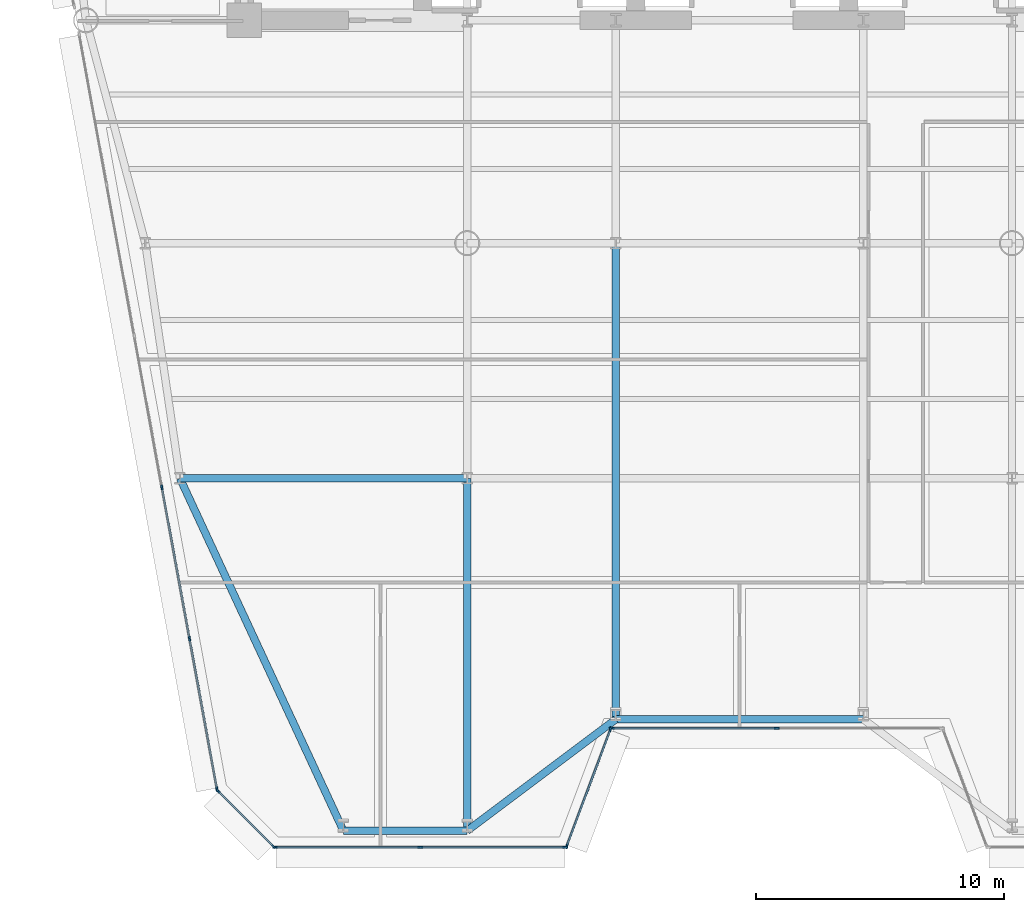
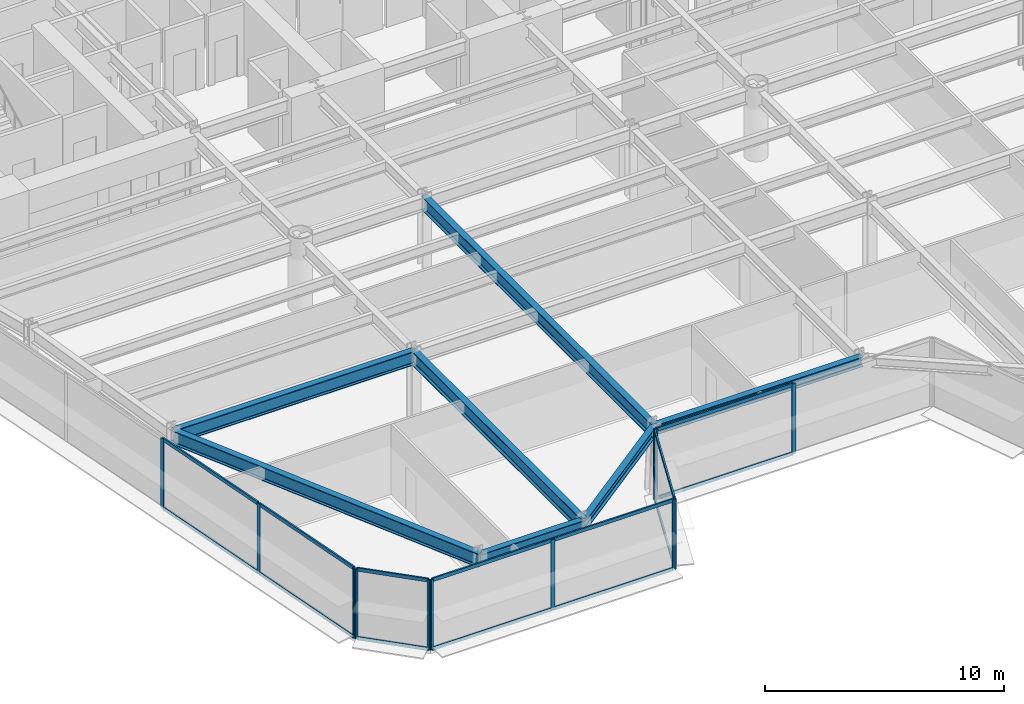
# One storey, part 2 of 15: 26 members, 7 beams, 5 elements without a shape of their own.
"""IFC4 building model written with IfcOpenShell, lengths in metres."""

from ifc_helpers import new_model, si_unit, direction, frame, origin, origin_2d, place, context, subcontext, project, spatial, rectangle, i_section, extrude, source, transform, mapped, material, layer, layer_set, material_profile, profile_set, type_object, element, aggregate, save


model = new_model("IFC4")

# Units and contexts
model_context = context("Model", 3, precision=1e-05, world=origin(), true_north=direction((0.0, 1.0)))
body_context = subcontext(model_context, "Body", "Model", "MODEL_VIEW")
ifc_project = project(units=[si_unit("LENGTHUNIT", "METRE"), si_unit("AREAUNIT", "SQUARE_METRE"), si_unit("VOLUMEUNIT", "CUBIC_METRE"), si_unit("PLANEANGLEUNIT", "RADIAN"), si_unit("MASSUNIT", "GRAM", prefix="KILO")], contexts=[model_context])

# Site, building, storey
site_placement = place(None, origin())
site = spatial("IfcSite", under=ifc_project, at=site_placement, CompositionType="ELEMENT")
building_placement = place(site_placement, origin())
building = spatial("IfcBuilding", under=site, at=building_placement, Name="Vaeldorn Concourse Tower", CompositionType="ELEMENT")
storey_placement = place(building_placement, frame((0.0, 0.0, 95.800048828125)))
storey = spatial("IfcBuildingStorey", under=building, at=storey_placement, Name="L24", CompositionType="ELEMENT", Elevation=95.800048828125)

# Beams
ifc_material_1 = material(Name="Steel S355", Category="steel")
ifc_material_profile_1 = material_profile(ifc_material_1, i_section(OverallWidth=0.300048828125, OverallDepth=0.5, WebThickness=0.014404296875, FlangeThickness=0.028076171875, FilletRadius=0.027099609375, at=origin_2d()), Name="HEB 500")
ifc_profile_set_1 = profile_set([ifc_material_profile_1], Name="Steel S355")
beam_type_1 = type_object("IfcBeamType", Name="BM-SP-HEB500", PredefinedType="SPANDREL", material=ifc_profile_set_1)
shared_shape_1 = source(origin(), body_context, "Body", "SweptSolid", [
    extrude(i_section(OverallWidth=0.300048828125, OverallDepth=0.5, WebThickness=0.014404296875, FlangeThickness=0.028076171875, FilletRadius=0.027099609375, at=origin_2d()), origin(), (0.0, 0.0, 1.0), 5.0),
])
beam_1_placement = place(storey_placement, frame((18.0, 3.768798828125, 3.329833984375), z_axis=(1.0, 0.0, 0.0), x_axis=(0.0, 1.0, 0.0)))
element("IfcBeam", 1, at=beam_1_placement, inside=storey, type_object=beam_type_1, Name="Beam BM-L24-C-SF1-C-SF2", PredefinedType="SPANDREL", context=body_context, shape_type="MappedRepresentation", body=[
    mapped(shared_shape_1, transform((0.0, 0.0, 0.0), scale=1.0)),
])
shared_shape_2 = source(origin(), body_context, "Body", "SweptSolid", [
    extrude(i_section(OverallWidth=0.300048828125, OverallDepth=0.5, WebThickness=0.014404296875, FlangeThickness=0.028076171875, FilletRadius=0.027099609375, at=origin_2d()), origin(), (0.0, 0.0, 1.0), 7.5),
])
beam_2_placement = place(storey_placement, frame((23.0, 3.768798828125, 3.329833984375), z_axis=(0.8, 0.6, 0.0), x_axis=(-0.6, 0.8, 0.0)))
element("IfcBeam", 2, at=beam_2_placement, inside=storey, type_object=beam_type_1, Name="Beam BM-L24-C-SF2-C-SF3", PredefinedType="SPANDREL", context=body_context, shape_type="MappedRepresentation", body=[
    mapped(shared_shape_2, transform((0.0, 0.0, 0.0), scale=1.0)),
])
shared_shape_3 = source(origin(), body_context, "Body", "SweptSolid", [
    extrude(i_section(OverallWidth=0.300048828125, OverallDepth=0.5, WebThickness=0.014404296875, FlangeThickness=0.028076171875, FilletRadius=0.027099609375, at=origin_2d()), origin(), (0.0, 0.0, 1.0), 10.0),
])
beam_3_placement = place(storey_placement, frame((29.0, 8.268798828125, 3.329833984375), z_axis=(1.0, 0.0, 0.0), x_axis=(0.0, 1.0, 0.0)))
element("IfcBeam", 3, at=beam_3_placement, inside=storey, type_object=beam_type_1, Name="Beam BM-L24-C-SF3-C-SF4", PredefinedType="SPANDREL", context=body_context, shape_type="MappedRepresentation", body=[
    mapped(shared_shape_3, transform((0.0, 0.0, 0.0), scale=1.0)),
])
ifc_material_profile_2 = material_profile(ifc_material_1, i_section(OverallWidth=0.300048828125, OverallDepth=0.699951171875, WebThickness=0.01708984375, FlangeThickness=0.031982421875, FilletRadius=0.027099609375, at=origin_2d()), Name="HEB 700")
ifc_profile_set_2 = profile_set([ifc_material_profile_2], Name="Steel S355")
beam_type_2 = type_object("IfcBeamType", Name="BM-PG-HEB700", PredefinedType="BEAM", material=ifc_profile_set_2)
shared_shape_4 = source(origin(), body_context, "Body", "SweptSolid", [
    extrude(i_section(OverallWidth=0.300048828125, OverallDepth=0.699951171875, WebThickness=0.01708984375, FlangeThickness=0.031982421875, FilletRadius=0.027099609375, at=origin_2d()), origin(), (0.0, 0.0, 1.0), 11.60009765625),
])
beam_4_placement = place(storey_placement, frame((11.39990234375, 18.0, 3.22998046875), z_axis=(1.0, 0.0, 0.0), x_axis=(0.0, 1.0, 0.0)))
element("IfcBeam", 4, at=beam_4_placement, inside=storey, type_object=beam_type_2, Name="Beam BM-L24-C-FLW2-C-TW5", PredefinedType="BEAM", context=body_context, shape_type="MappedRepresentation", body=[
    mapped(shared_shape_4, transform((0.0, 0.0, 0.0), scale=1.0)),
])
shared_shape_5 = source(origin(), body_context, "Body", "SweptSolid", [
    extrude(i_section(OverallWidth=0.300048828125, OverallDepth=0.699951171875, WebThickness=0.01708984375, FlangeThickness=0.031982421875, FilletRadius=0.027099609375, at=origin_2d()), origin(), (0.0, 0.0, 1.0), 15.687255859375),
])
beam_5_placement = place(storey_placement, frame((18.0, 3.768798828125, 3.22998046875), z_axis=(-0.420731289572, 0.907185307407, 0.0), x_axis=(-0.907185307407, -0.420731289572, 0.0)))
element("IfcBeam", 5, at=beam_5_placement, inside=storey, type_object=beam_type_2, Name="Beam BM-L24-C-SF1-C-FLW2", PredefinedType="BEAM", context=body_context, shape_type="MappedRepresentation", body=[
    mapped(shared_shape_5, transform((0.0, 0.0, 0.0), scale=1.0)),
])
shared_shape_6 = source(origin(), body_context, "Body", "SweptSolid", [
    extrude(i_section(OverallWidth=0.300048828125, OverallDepth=0.699951171875, WebThickness=0.01708984375, FlangeThickness=0.031982421875, FilletRadius=0.027099609375, at=origin_2d()), origin(), (0.0, 0.0, 1.0), 14.231201171875),
])
beam_6_placement = place(storey_placement, frame((23.0, 3.768798828125, 3.22998046875), z_axis=(0.0, 1.0, 0.0), x_axis=(-1.0, 0.0, 0.0)))
element("IfcBeam", 6, at=beam_6_placement, inside=storey, type_object=beam_type_2, Name="Beam BM-L24-C-SF2-C-TW5", PredefinedType="BEAM", context=body_context, shape_type="MappedRepresentation", body=[
    mapped(shared_shape_6, transform((0.0, 0.0, 0.0), scale=1.0)),
])
shared_shape_7 = source(origin(), body_context, "Body", "SweptSolid", [
    extrude(i_section(OverallWidth=0.300048828125, OverallDepth=0.699951171875, WebThickness=0.01708984375, FlangeThickness=0.031982421875, FilletRadius=0.027099609375, at=origin_2d()), origin(), (0.0, 0.0, 1.0), 19.231201171875),
])
beam_7_placement = place(storey_placement, frame((29.0, 8.268798828125, 3.22998046875), z_axis=(0.0, 1.0, 0.0), x_axis=(-1.0, 0.0, 0.0)))
element("IfcBeam", 7, at=beam_7_placement, inside=storey, type_object=beam_type_2, Name="Beam BM-L24-C-SF3-C-TW2", PredefinedType="BEAM", context=body_context, shape_type="MappedRepresentation", body=[
    mapped(shared_shape_7, transform((0.0, 0.0, 0.0), scale=1.0)),
])

# Curtain wall, members
ifc_material_2 = material(Name="Anodised Bronze Aluminium", Category="aluminium")
ifc_layer = layer(ifc_material_2, 0.199951171875)
ifc_layer_set = layer_set([ifc_layer], Name="Anodised Bronze Aluminium")
curtain_wall_type = type_object("IfcCurtainWallType", Name="CW-SYS-02", PredefinedType="NOTDEFINED", material=ifc_layer_set)
curtain_wall_1_placement = place(storey_placement, origin())
curtain_wall_1 = element("IfcCurtainWall", 8, at=curtain_wall_1_placement, inside=storey, type_object=curtain_wall_type, Name="Unitised Curtain Wall CW-L24-E03-1", PredefinedType="NOTDEFINED")
ifc_material_profile_3 = material_profile(ifc_material_2, rectangle(XDim=0.074951171875, YDim=0.179931640625, at=origin_2d()), Name="CWT 75x180")
ifc_profile_set_3 = profile_set([ifc_material_profile_3], Name="Anodised Bronze Aluminium")
member_type_1 = type_object("IfcMemberType", Name="CWT-BRONZE-180", PredefinedType="USERDEFINED", material=ifc_profile_set_3)
shared_shape_8 = source(origin(), body_context, "Body", "SweptSolid", [
    extrude(rectangle(XDim=0.074951171875, YDim=0.179931640625, at=origin_2d()), origin(), (0.0, 0.0, 1.0), 6.58740234375),
])
member_1_placement = place(storey_placement, frame((28.875, 7.907958984375, 0.037353515625), z_axis=(1.0, 0.0, 0.0), x_axis=(0.0, 1.0, 0.0)))
member_1 = element("IfcMember", 9, at=member_1_placement, type_object=member_type_1, Name="CW-02 transom 1.1", ObjectType="TRANSOM", PredefinedType="USERDEFINED", context=body_context, shape_type="MappedRepresentation", body=[
    mapped(shared_shape_8, transform((0.0, 0.0, 0.0), scale=1.0)),
])
member_2_placement = place(storey_placement, frame((28.875, 7.907958984375, 3.54248046875), z_axis=(1.0, 0.0, 0.0), x_axis=(0.0, 1.0, 0.0)))
member_2 = element("IfcMember", 10, at=member_2_placement, type_object=member_type_1, Name="CW-02 transom 1.2", ObjectType="TRANSOM", PredefinedType="USERDEFINED", context=body_context, shape_type="MappedRepresentation", body=[
    mapped(shared_shape_8, transform((0.0, 0.0, 0.0), scale=1.0)),
])

curtain_wall_2_placement = place(storey_placement, origin())
curtain_wall_2 = element("IfcCurtainWall", 11, at=curtain_wall_2_placement, inside=storey, type_object=curtain_wall_type, Name="Unitised Curtain Wall CW-L24-E02-1", PredefinedType="NOTDEFINED")
shared_shape_9 = source(origin(), body_context, "Body", "SweptSolid", [
    extrude(rectangle(XDim=0.074951171875, YDim=0.179931640625, at=origin_2d()), origin(), (0.0, 0.0, 1.0), 4.9765625),
])
member_3_placement = place(storey_placement, frame((27.0263671875, 3.17822265625, 0.037353515625), z_axis=(0.351112688987, 0.936333209724, 0.0), x_axis=(-0.936333209724, 0.351112688987, 0.0)))
member_3 = element("IfcMember", 12, at=member_3_placement, type_object=member_type_1, Name="CW-02 transom 1.1", ObjectType="TRANSOM", PredefinedType="USERDEFINED", context=body_context, shape_type="MappedRepresentation", body=[
    mapped(shared_shape_9, transform((0.0, 0.0, 0.0), scale=1.0)),
])
member_4_placement = place(storey_placement, frame((27.0263671875, 3.17822265625, 3.54248046875), z_axis=(0.351112688987, 0.936333209724, 0.0), x_axis=(-0.936333209724, 0.351112688987, 0.0)))
member_4 = element("IfcMember", 13, at=member_4_placement, type_object=member_type_1, Name="CW-02 transom 1.2", ObjectType="TRANSOM", PredefinedType="USERDEFINED", context=body_context, shape_type="MappedRepresentation", body=[
    mapped(shared_shape_9, transform((0.0, 0.0, 0.0), scale=1.0)),
])

curtain_wall_3_placement = place(storey_placement, origin())
curtain_wall_3 = element("IfcCurtainWall", 14, at=curtain_wall_3_placement, inside=storey, type_object=curtain_wall_type, Name="Unitised Curtain Wall CW-L24-E12-1", PredefinedType="NOTDEFINED")
shared_shape_10 = source(origin(), body_context, "Body", "SweptSolid", [
    extrude(rectangle(XDim=0.074951171875, YDim=0.179931640625, at=origin_2d()), origin(), (0.0, 0.0, 1.0), 3.1025390625),
])
member_5_placement = place(storey_placement, frame((12.955322265625, 5.35498046875, 0.037353515625), z_axis=(0.707106781187, -0.707106781187, 0.0), x_axis=(0.707106781187, 0.707106781187, 0.0)))
member_5 = element("IfcMember", 15, at=member_5_placement, type_object=member_type_1, Name="CW-02 transom 1.1", ObjectType="TRANSOM", PredefinedType="USERDEFINED", context=body_context, shape_type="MappedRepresentation", body=[
    mapped(shared_shape_10, transform((0.0, 0.0, 0.0), scale=1.0)),
])
member_6_placement = place(storey_placement, frame((12.955322265625, 5.35498046875, 3.54248046875), z_axis=(0.707106781187, -0.707106781187, 0.0), x_axis=(0.707106781187, 0.707106781187, 0.0)))
member_6 = element("IfcMember", 16, at=member_6_placement, type_object=member_type_1, Name="CW-02 transom 1.2", ObjectType="TRANSOM", PredefinedType="USERDEFINED", context=body_context, shape_type="MappedRepresentation", body=[
    mapped(shared_shape_10, transform((0.0, 0.0, 0.0), scale=1.0)),
])

curtain_wall_4_placement = place(storey_placement, origin())
curtain_wall_4 = element("IfcCurtainWall", 17, at=curtain_wall_4_placement, inside=storey, type_object=curtain_wall_type, Name="Unitised Curtain Wall CW-L24-E01-1", PredefinedType="NOTDEFINED")
shared_shape_11 = source(origin(), body_context, "Body", "SweptSolid", [
    extrude(rectangle(XDim=0.074951171875, YDim=0.179931640625, at=origin_2d()), origin(), (0.0, 0.0, 1.0), 5.78662109375),
])
member_7_placement = place(storey_placement, frame((15.277099609375, 3.10791015625, 0.037353515625), z_axis=(1.0, 0.0, 0.0), x_axis=(0.0, 1.0, 0.0)))
member_7 = element("IfcMember", 18, at=member_7_placement, type_object=member_type_1, Name="CW-02 transom 1.1", ObjectType="TRANSOM", PredefinedType="USERDEFINED", context=body_context, shape_type="MappedRepresentation", body=[
    mapped(shared_shape_11, transform((0.0, 0.0, 0.0), scale=1.0)),
])
member_8_placement = place(storey_placement, frame((15.277099609375, 3.10791015625, 3.54248046875), z_axis=(1.0, 0.0, 0.0), x_axis=(0.0, 1.0, 0.0)))
member_8 = element("IfcMember", 19, at=member_8_placement, type_object=member_type_1, Name="CW-02 transom 1.2", ObjectType="TRANSOM", PredefinedType="USERDEFINED", context=body_context, shape_type="MappedRepresentation", body=[
    mapped(shared_shape_11, transform((0.0, 0.0, 0.0), scale=1.0)),
])
shared_shape_12 = source(origin(), body_context, "Body", "SweptSolid", [
    extrude(rectangle(XDim=0.074951171875, YDim=0.179931640625, at=origin_2d()), origin(), (0.0, 0.0, 1.0), 5.786376953125),
])
member_9_placement = place(storey_placement, frame((21.138671875, 3.10791015625, 0.037353515625), z_axis=(1.0, 0.0, 0.0), x_axis=(0.0, 1.0, 0.0)))
member_9 = element("IfcMember", 20, at=member_9_placement, type_object=member_type_1, Name="CW-02 transom 2.1", ObjectType="TRANSOM", PredefinedType="USERDEFINED", context=body_context, shape_type="MappedRepresentation", body=[
    mapped(shared_shape_12, transform((0.0, 0.0, 0.0), scale=1.0)),
])
member_10_placement = place(storey_placement, frame((21.138671875, 3.10791015625, 3.54248046875), z_axis=(1.0, 0.0, 0.0), x_axis=(0.0, 1.0, 0.0)))
member_10 = element("IfcMember", 21, at=member_10_placement, type_object=member_type_1, Name="CW-02 transom 2.2", ObjectType="TRANSOM", PredefinedType="USERDEFINED", context=body_context, shape_type="MappedRepresentation", body=[
    mapped(shared_shape_12, transform((0.0, 0.0, 0.0), scale=1.0)),
])
ifc_material_profile_4 = material_profile(ifc_material_2, rectangle(XDim=0.074951171875, YDim=0.18994140625, at=origin_2d()), Name="CWM 75x190")
ifc_profile_set_4 = profile_set([ifc_material_profile_4], Name="Anodised Bronze Aluminium")
member_type_2 = type_object("IfcMemberType", Name="CWM-BRONZE-190", PredefinedType="MULLION", material=ifc_profile_set_4)
shared_shape_13 = source(origin(), body_context, "Body", "SweptSolid", [
    extrude(rectangle(XDim=0.074951171875, YDim=0.18994140625, at=origin_2d()), origin(), (0.0, 0.0, 1.0), 3.579833984375),
])
member_11_placement = place(storey_placement, frame((15.23974609375, 3.10791015625, 0.0), z_axis=(0.0, 0.0, 1.0), x_axis=(0.0, 1.0, 0.0)))
member_11 = element("IfcMember", 22, at=member_11_placement, type_object=member_type_2, Name="CW-02 mullion 1", PredefinedType="MULLION", context=body_context, shape_type="MappedRepresentation", body=[
    mapped(shared_shape_13, transform((0.0, 0.0, 0.0), scale=1.0)),
])
member_12_placement = place(storey_placement, frame((21.10107421875, 3.10791015625, 0.0), z_axis=(0.0, 0.0, 1.0), x_axis=(0.0, 1.0, 0.0)))
member_12 = element("IfcMember", 23, at=member_12_placement, type_object=member_type_2, Name="CW-02 mullion 2", PredefinedType="MULLION", context=body_context, shape_type="MappedRepresentation", body=[
    mapped(shared_shape_13, transform((0.0, 0.0, 0.0), scale=1.0)),
])
member_13_placement = place(storey_placement, frame((26.96240234375, 3.10791015625, 0.0), z_axis=(0.0, 0.0, 1.0), x_axis=(0.0, 1.0, 0.0)))
member_13 = element("IfcMember", 24, at=member_13_placement, type_object=member_type_2, Name="CW-02 mullion 3", PredefinedType="MULLION", context=body_context, shape_type="MappedRepresentation", body=[
    mapped(shared_shape_13, transform((0.0, 0.0, 0.0), scale=1.0)),
])
aggregate(curtain_wall_4, [member_11, member_12, member_13, member_7, member_8, member_9, member_10])

# Member
member_14_placement = place(storey_placement, frame((27.01318359375, 3.14306640625, 0.0), z_axis=(0.0, 0.0, 1.0), x_axis=(-0.936329177566, 0.351123441595, 0.0)))
member_14 = element("IfcMember", 25, at=member_14_placement, type_object=member_type_2, Name="CW-02 mullion 1", PredefinedType="MULLION", context=body_context, shape_type="MappedRepresentation", body=[
    mapped(shared_shape_13, transform((0.0, 0.0, 0.0), scale=1.0)),
])

member_15_placement = place(storey_placement, frame((28.786865234375, 7.872802734375, 0.0), z_axis=(0.0, 0.0, 1.0), x_axis=(-0.936329177566, 0.351123441595, 0.0)))
member_15 = element("IfcMember", 26, at=member_15_placement, type_object=member_type_2, Name="CW-02 mullion 2", PredefinedType="MULLION", context=body_context, shape_type="MappedRepresentation", body=[
    mapped(shared_shape_13, transform((0.0, 0.0, 0.0), scale=1.0)),
])

aggregate(curtain_wall_2, [member_14, member_15, member_3, member_4])

member_16_placement = place(storey_placement, frame((28.83740234375, 7.907958984375, 0.0), z_axis=(0.0, 0.0, 1.0), x_axis=(0.0, 1.0, 0.0)))
member_16 = element("IfcMember", 27, at=member_16_placement, type_object=member_type_2, Name="CW-02 mullion 1", PredefinedType="MULLION", context=body_context, shape_type="MappedRepresentation", body=[
    mapped(shared_shape_13, transform((0.0, 0.0, 0.0), scale=1.0)),
])

member_17_placement = place(storey_placement, frame((35.5, 7.907958984375, 0.0), z_axis=(0.0, 0.0, 1.0), x_axis=(0.0, 1.0, 0.0)))
member_17 = element("IfcMember", 28, at=member_17_placement, type_object=member_type_2, Name="CW-02 mullion 2", PredefinedType="MULLION", context=body_context, shape_type="MappedRepresentation", body=[
    mapped(shared_shape_13, transform((0.0, 0.0, 0.0), scale=1.0)),
])

aggregate(curtain_wall_1, [member_16, member_17, member_1, member_2])

# Curtain wall, members
curtain_wall_5_placement = place(storey_placement, origin())
curtain_wall_5 = element("IfcCurtainWall", 29, at=curtain_wall_5_placement, inside=storey, type_object=curtain_wall_type, Name="Unitised Curtain Wall CW-L24-E11-2", PredefinedType="NOTDEFINED")
member_18_placement = place(storey_placement, frame((10.669921875, 17.6376953125, 0.0), z_axis=(0.0, 0.0, 1.0), x_axis=(0.983745706576, 0.179567215253, 0.0)))
member_18 = element("IfcMember", 30, at=member_18_placement, type_object=member_type_2, Name="CW-02 mullion 4", PredefinedType="MULLION", context=body_context, shape_type="MappedRepresentation", body=[
    mapped(shared_shape_13, transform((0.0, 0.0, 0.0), scale=1.0)),
])
member_19_placement = place(storey_placement, frame((11.7861328125, 11.522705078125, 0.0), z_axis=(0.0, 0.0, 1.0), x_axis=(0.983745706576, 0.179567215253, 0.0)))
member_19 = element("IfcMember", 31, at=member_19_placement, type_object=member_type_2, Name="CW-02 mullion 5", PredefinedType="MULLION", context=body_context, shape_type="MappedRepresentation", body=[
    mapped(shared_shape_13, transform((0.0, 0.0, 0.0), scale=1.0)),
])
member_20_placement = place(storey_placement, frame((12.8955078125, 5.44482421875, 0.0), z_axis=(0.0, 0.0, 1.0), x_axis=(0.983745706576, 0.179567215253, 0.0)))
member_20 = element("IfcMember", 32, at=member_20_placement, type_object=member_type_2, Name="CW-02 mullion 6", PredefinedType="MULLION", context=body_context, shape_type="MappedRepresentation", body=[
    mapped(shared_shape_13, transform((0.0, 0.0, 0.0), scale=1.0)),
])

# Member
member_21_placement = place(storey_placement, frame((12.9287109375, 5.381591796875, 0.0), z_axis=(0.0, 0.0, 1.0), x_axis=(0.707106781187, 0.707106781187, 0.0)))
member_21 = element("IfcMember", 33, at=member_21_placement, type_object=member_type_2, Name="CW-02 mullion 1", PredefinedType="MULLION", context=body_context, shape_type="MappedRepresentation", body=[
    mapped(shared_shape_13, transform((0.0, 0.0, 0.0), scale=1.0)),
])

member_22_placement = place(storey_placement, frame((15.17578125, 3.134521484375, 0.0), z_axis=(0.0, 0.0, 1.0), x_axis=(0.707106781187, 0.707106781187, 0.0)))
member_22 = element("IfcMember", 34, at=member_22_placement, type_object=member_type_2, Name="CW-02 mullion 2", PredefinedType="MULLION", context=body_context, shape_type="MappedRepresentation", body=[
    mapped(shared_shape_13, transform((0.0, 0.0, 0.0), scale=1.0)),
])

aggregate(curtain_wall_3, [member_21, member_22, member_5, member_6])

shared_shape_14 = source(origin(), body_context, "Body", "SweptSolid", [
    extrude(rectangle(XDim=0.074951171875, YDim=0.179931640625, at=origin_2d()), origin(), (0.0, 0.0, 1.0), 6.103271484375),
])
member_23_placement = place(storey_placement, frame((11.792724609375, 11.48583984375, 0.037353515625), z_axis=(0.179564773613, -0.983746152255, 0.0), x_axis=(0.983746152255, 0.179564773613, 0.0)))
member_23 = element("IfcMember", 35, at=member_23_placement, type_object=member_type_1, Name="CW-02 transom 5.1", ObjectType="TRANSOM", PredefinedType="USERDEFINED", context=body_context, shape_type="MappedRepresentation", body=[
    mapped(shared_shape_14, transform((0.0, 0.0, 0.0), scale=1.0)),
])

member_24_placement = place(storey_placement, frame((11.792724609375, 11.48583984375, 3.54248046875), z_axis=(0.179564773613, -0.983746152255, 0.0), x_axis=(0.983746152255, 0.179564773613, 0.0)))
member_24 = element("IfcMember", 36, at=member_24_placement, type_object=member_type_1, Name="CW-02 transom 5.2", ObjectType="TRANSOM", PredefinedType="USERDEFINED", context=body_context, shape_type="MappedRepresentation", body=[
    mapped(shared_shape_14, transform((0.0, 0.0, 0.0), scale=1.0)),
])

shared_shape_15 = source(origin(), body_context, "Body", "SweptSolid", [
    extrude(rectangle(XDim=0.074951171875, YDim=0.179931640625, at=origin_2d()), origin(), (0.0, 0.0, 1.0), 6.14111328125),
])
member_25_placement = place(storey_placement, frame((10.676513671875, 17.600830078125, 0.037353515625), z_axis=(0.179574591814, -0.983744360073, 0.0), x_axis=(0.983744360073, 0.179574591814, 0.0)))
member_25 = element("IfcMember", 37, at=member_25_placement, type_object=member_type_1, Name="CW-02 transom 4.1", ObjectType="TRANSOM", PredefinedType="USERDEFINED", context=body_context, shape_type="MappedRepresentation", body=[
    mapped(shared_shape_15, transform((0.0, 0.0, 0.0), scale=1.0)),
])

member_26_placement = place(storey_placement, frame((10.676513671875, 17.600830078125, 3.54248046875), z_axis=(0.179574591814, -0.983744360073, 0.0), x_axis=(0.983744360073, 0.179574591814, 0.0)))
member_26 = element("IfcMember", 38, at=member_26_placement, type_object=member_type_1, Name="CW-02 transom 4.2", ObjectType="TRANSOM", PredefinedType="USERDEFINED", context=body_context, shape_type="MappedRepresentation", body=[
    mapped(shared_shape_15, transform((0.0, 0.0, 0.0), scale=1.0)),
])

aggregate(curtain_wall_5, [member_18, member_19, member_20, member_25, member_26, member_23, member_24])

save(model, "model.ifc")
